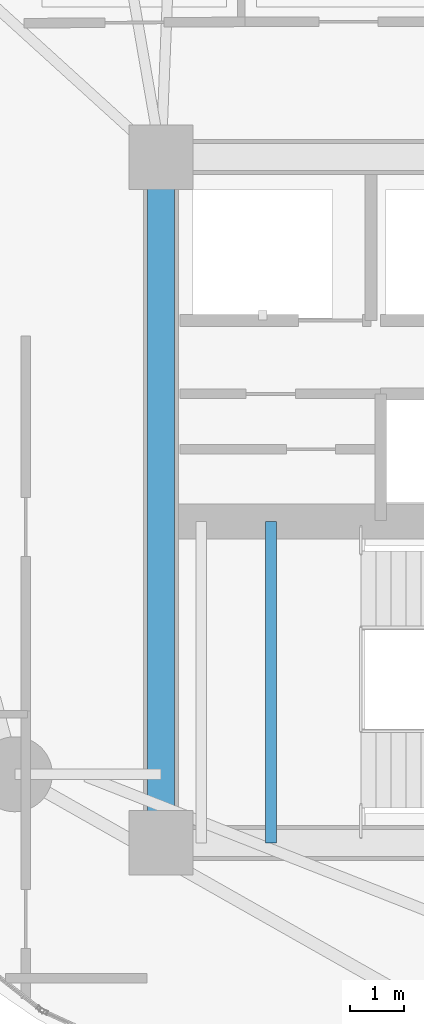
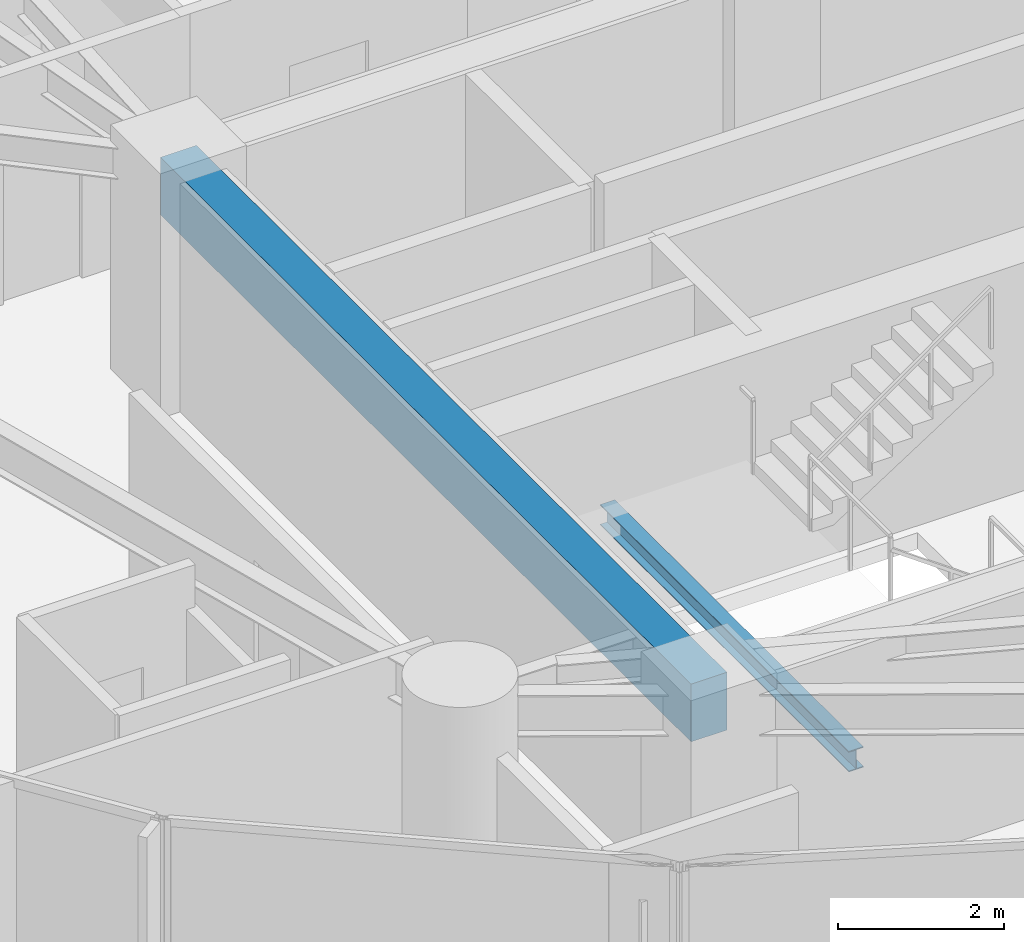
# One storey, part 8 of 32: 2 beams.
"""IFC4 building model written with IfcOpenShell, lengths in metres."""

from ifc_helpers import new_model, si_unit, direction, frame, origin, origin_2d, place, context, subcontext, project, spatial, rectangle, i_section, extrude, material, material_profile, profile_set, type_object, element, save


model = new_model("IFC4")

# Units and contexts
model_context = context("Model", 3, precision=1e-05, world=origin(), true_north=direction((0.0, 1.0)))
body_context = subcontext(model_context, "Body", "Model", "MODEL_VIEW")
ifc_project = project(units=[si_unit("LENGTHUNIT", "METRE"), si_unit("AREAUNIT", "SQUARE_METRE"), si_unit("VOLUMEUNIT", "CUBIC_METRE"), si_unit("PLANEANGLEUNIT", "RADIAN"), si_unit("MASSUNIT", "GRAM", prefix="KILO")], contexts=[model_context])

# Site, building, storey
site_placement = place(None, origin())
site = spatial("IfcSite", under=ifc_project, at=site_placement, CompositionType="ELEMENT")
building_placement = place(site_placement, origin())
building = spatial("IfcBuilding", under=site, at=building_placement, Name="Kazevale Care Tower and Concert Hall", CompositionType="ELEMENT")
storey_placement = place(building_placement, frame((0.0, 0.0, 24.0)))
storey = spatial("IfcBuildingStorey", under=building, at=storey_placement, Name="L05", CompositionType="ELEMENT", Elevation=24.0)

# Beams
ifc_material_1 = material(Name="Concrete C60", Category="concrete")
ifc_material_profile_1 = material_profile(ifc_material_1, rectangle(XDim=0.5, YDim=0.85009765625, at=origin_2d()), Name="RC-B500x850")
ifc_profile_set_1 = profile_set([ifc_material_profile_1], Name="Concrete C60")
beam_type_1 = type_object("IfcBeamType", Name="Core Coupling Beam RC500x850", PredefinedType="LINTEL", material=ifc_profile_set_1)
beam_1_placement = place(storey_placement, frame((22.0, 36.39990234375, 2.93505859375), z_axis=(0.0, -1.0, 0.0), x_axis=(1.0, 0.0, 0.0)))
element("IfcBeam", 1, at=beam_1_placement, inside=storey, type_object=beam_type_1, Name="beam:L05:coretie:8", PredefinedType="LINTEL", context=body_context, shape_type="SweptSolid", body=[
    extrude(rectangle(XDim=0.5, YDim=0.85009765625, at=origin_2d()), origin(), (0.0, 0.0, 1.0), 12.7998046875),
])
ifc_material_2 = material(Name="Steel ASTM A572 Gr 50", Category="steel")
ifc_material_profile_2 = material_profile(ifc_material_2, i_section(OverallWidth=0.202880859375, OverallDepth=0.302978515625, WebThickness=0.007568359375, FlangeThickness=0.01318359375, at=origin_2d()), Name="W310x60")
ifc_profile_set_2 = profile_set([ifc_material_profile_2], Name="Steel ASTM A572 Gr 50")
beam_type_2 = type_object("IfcBeamType", Name="Stair & Balcony Trimmer W310x60", PredefinedType="BEAM", material=ifc_profile_set_2)
beam_2_placement = place(storey_placement, frame((24.050048828125, 23.60009765625, 1.448486328125), z_axis=(0.0, 1.0, 0.0), x_axis=(-1.0, 0.0, 0.0)))
element("IfcBeam", 2, at=beam_2_placement, inside=storey, type_object=beam_type_2, Name="beam:L05:sttrim:ST1b", PredefinedType="BEAM", context=body_context, shape_type="SweptSolid", body=[
    extrude(i_section(OverallWidth=0.202880859375, OverallDepth=0.302978515625, WebThickness=0.007568359375, FlangeThickness=0.01318359375, at=origin_2d()), origin(), (0.0, 0.0, 1.0), 6.0),
])

save(model, "model.ifc")
